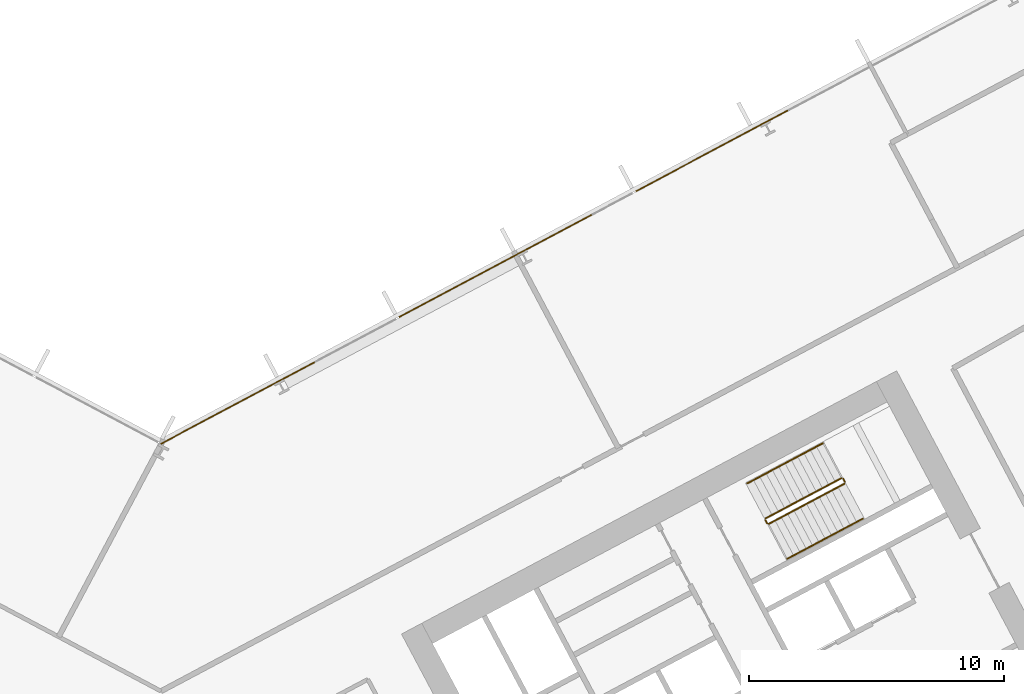
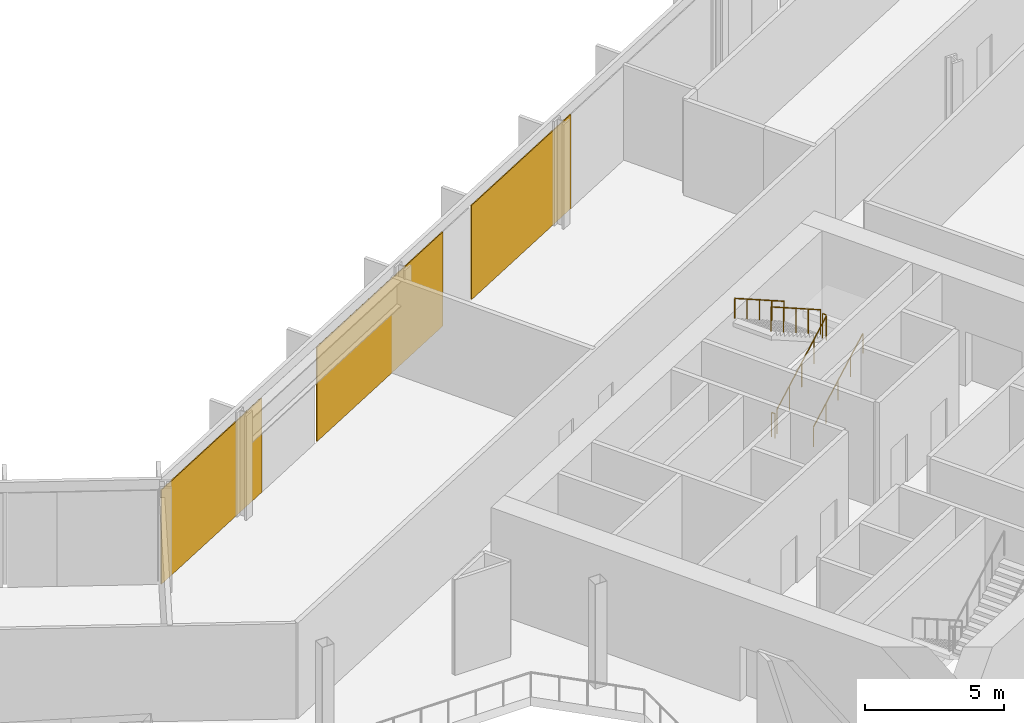
# One storey, part 28 of 30: 6 railings, 3 coverings, 1 element without a shape of its own.
"""IFC4 building model written with IfcOpenShell, lengths in metres."""

from ifc_helpers import new_model, si_unit, direction, frame, origin, origin_2d, place, context, subcontext, project, spatial, polyline, rectangle, outline, extrude, material, layer, layer_set, type_object, element, aggregate, save


model = new_model("IFC4")

# Units and contexts
model_context = context("Model", 3, precision=1e-05, world=origin(), true_north=direction((0.0, 1.0)))
body_context = subcontext(model_context, "Body", "Model", "MODEL_VIEW")
ifc_project = project(units=[si_unit("LENGTHUNIT", "METRE"), si_unit("AREAUNIT", "SQUARE_METRE"), si_unit("VOLUMEUNIT", "CUBIC_METRE"), si_unit("PLANEANGLEUNIT", "RADIAN"), si_unit("MASSUNIT", "GRAM", prefix="KILO")], contexts=[model_context])

# Site, building, storey
site_placement = place(None, origin())
site = spatial("IfcSite", under=ifc_project, at=site_placement, CompositionType="ELEMENT")
building_placement = place(site_placement, origin())
building = spatial("IfcBuilding", under=site, at=building_placement, Name="Cormorant Relay Tower", CompositionType="ELEMENT")
storey_placement = place(building_placement, frame((0.0, 0.0, 80.0)))
storey = spatial("IfcBuildingStorey", under=building, at=storey_placement, Name="L15", CompositionType="ELEMENT", Elevation=80.0)

# Curtain wall, coverings
ifc_material_1 = material(Name="Aluminium 6063-T6 anodised bronze", Category="aluminium")
ifc_layer_1 = layer(ifc_material_1, 0.199951171875)
ifc_layer_set_1 = layer_set([ifc_layer_1], Name="CW1 unitised bronze curtain wall with vertical fins")
curtain_wall_type = type_object("IfcCurtainWallType", Name="CW1 unitised bronze curtain wall with vertical fins", PredefinedType="NOTDEFINED", material=ifc_layer_set_1)
curtain_wall_placement = place(storey_placement, origin())
curtain_wall = element("IfcCurtainWall", 1, at=curtain_wall_placement, inside=storey, type_object=curtain_wall_type, Name="CW1 curtain wall 6", PredefinedType="NOTDEFINED")
ifc_material_2 = material(Name="Pale bronze anodised aluminium insulated panel", Category="aluminium")
ifc_layer_2 = layer(ifc_material_2, 0.0400390625)
ifc_layer_set_2 = layer_set([ifc_layer_2], Name="CW1 pale bronze insulated panel 40")
covering_type = type_object("IfcCoveringType", Name="CW1 pale bronze insulated panel 40", PredefinedType="CLADDING", material=ifc_layer_set_2)
covering_1_placement = place(storey_placement, frame((21.6123046875, 35.298095703125, 0.0), z_axis=(0.0, 0.0, 1.0), x_axis=(-0.882947592859, -0.469471562786, 0.0)))
covering_1 = element("IfcCovering", 2, at=covering_1_placement, type_object=covering_type, Name="CW1 panel S06", PredefinedType="CLADDING", context=body_context, shape_type="SweptSolid", body=[
    extrude(rectangle(XDim=6.765380859375, YDim=0.0400390625, at=origin_2d()), origin(), (0.0, 0.0, 1.0), 4.14990234375),
])
covering_2_placement = place(storey_placement, frame((13.12255859375, 30.7841796875, 0.0), z_axis=(0.0, 0.0, 1.0), x_axis=(-0.882947592859, -0.469471562786, 0.0)))
covering_2 = element("IfcCovering", 3, at=covering_2_placement, type_object=covering_type, Name="CW1 panel S08", PredefinedType="CLADDING", context=body_context, shape_type="SweptSolid", body=[
    extrude(rectangle(XDim=8.565185546875, YDim=0.0400390625, at=origin_2d()), origin(), (0.0, 0.0, 1.0), 4.14990234375),
])
covering_3_placement = place(storey_placement, frame((3.010498046875, 25.4072265625, 0.0), z_axis=(0.0, 0.0, 1.0), x_axis=(-0.882947592859, -0.469471562786, 0.0)))
covering_3 = element("IfcCovering", 4, at=covering_3_placement, type_object=covering_type, Name="CW1 panel S10", PredefinedType="CLADDING", context=body_context, shape_type="SweptSolid", body=[
    extrude(rectangle(XDim=6.84033203125, YDim=0.0400390625, at=origin_2d()), origin(), (0.0, 0.0, 1.0), 4.14990234375),
])
aggregate(curtain_wall, [covering_1, covering_2, covering_3])

# Railings
ifc_material_3 = material(Name="Steel ASTM A572 Grade 50 (Fy 345 MPa)", Category="steel")
railing_type_1 = type_object("IfcRailingType", Name="Stair guard 1100", PredefinedType="GUARDRAIL", material=ifc_material_3)
railing_1_placement = place(storey_placement, frame((23.8408203125, 20.6611328125, 0.177001953125)))
element("IfcRailing", 5, at=railing_1_placement, inside=storey, type_object=railing_type_1, Name="L15 B2 stair guard 1", PredefinedType="GUARDRAIL", context=body_context, shape_type="SweptSolid", body=[
    extrude(outline(polyline([(0.022216796875, 0.00927734375), (0.00927734375, 0.022216796875), (-0.00927734375, 0.022216796875), (-0.022216796875, 0.00927734375), (-0.022216796875, -0.00927734375), (-0.00927734375, -0.022216796875), (0.00927734375, -0.022216796875), (0.022216796875, -0.00927734375), (0.022216796875, 0.00927734375)])), frame((0.0, 0.0, 1.076171875), z_axis=(0.746440668329, 0.396869088057, 0.534154711306), x_axis=(-0.46945269911, 0.882957622595, 0.0)), (0.0, 0.0, 1.0), 3.974609375),
    extrude(outline(polyline([(0.019287109375, 0.008056640625), (0.008056640625, 0.019287109375), (-0.008056640625, 0.019287109375), (-0.019287109375, 0.008056640625), (-0.019287109375, -0.008056640625), (-0.008056640625, -0.019287109375), (0.008056640625, -0.019287109375), (0.019287109375, -0.008056640625), (0.019287109375, 0.008056640625)])), origin(), (0.0, 0.0, 1.0), 1.052001953125),
    extrude(outline(polyline([(0.019287109375, 0.008056640625), (0.008056640625, 0.019287109375), (-0.008056640625, 0.019287109375), (-0.019287109375, 0.008056640625), (-0.019287109375, -0.008056640625), (-0.008056640625, -0.019287109375), (0.008056640625, -0.019287109375), (0.019287109375, -0.008056640625), (0.019287109375, 0.008056640625)])), frame((0.74169921875, 0.394287109375, 0.53076171875)), (0.0, 0.0, 1.0), 1.052001953125),
    extrude(outline(polyline([(0.019287109375, 0.008056640625), (0.008056640625, 0.019287109375), (-0.008056640625, 0.019287109375), (-0.019287109375, 0.008056640625), (-0.019287109375, -0.008056640625), (-0.008056640625, -0.019287109375), (0.008056640625, -0.019287109375), (0.019287109375, -0.008056640625), (0.019287109375, 0.008056640625)])), frame((1.4833984375, 0.78857421875, 1.0615234375)), (0.0, 0.0, 1.0), 1.052001953125),
    extrude(outline(polyline([(0.019287109375, 0.008056640625), (0.008056640625, 0.019287109375), (-0.008056640625, 0.019287109375), (-0.019287109375, 0.008056640625), (-0.019287109375, -0.008056640625), (-0.008056640625, -0.019287109375), (0.008056640625, -0.019287109375), (0.019287109375, -0.008056640625), (0.019287109375, 0.008056640625)])), frame((2.22509765625, 1.18310546875, 1.59228515625)), (0.0, 0.0, 1.0), 1.052001953125),
    extrude(outline(polyline([(0.019287109375, 0.008056640625), (0.008056640625, 0.019287109375), (-0.008056640625, 0.019287109375), (-0.019287109375, 0.008056640625), (-0.019287109375, -0.008056640625), (-0.008056640625, -0.019287109375), (0.008056640625, -0.019287109375), (0.019287109375, -0.008056640625), (0.019287109375, 0.008056640625)])), frame((2.966796875, 1.577392578125, 2.123046875)), (0.0, 0.0, 1.0), 1.052001953125),
])
railing_2_placement = place(storey_placement, frame((26.828125, 22.30615234375, 2.300048828125)))
element("IfcRailing", 6, at=railing_2_placement, inside=storey, type_object=railing_type_1, Name="L15 B2 stair guard 2", PredefinedType="GUARDRAIL", context=body_context, shape_type="SweptSolid", body=[
    extrude(outline(polyline([(0.022216796875, 0.00927734375), (0.00927734375, 0.022216796875), (-0.00927734375, 0.022216796875), (-0.022216796875, 0.00927734375), (-0.022216796875, -0.00927734375), (-0.00927734375, -0.022216796875), (0.00927734375, -0.022216796875), (0.022216796875, -0.00927734375), (0.022216796875, 0.00927734375)])), frame((0.0, 0.0, 1.076171875), z_axis=(-0.469234640946, 0.883073525669, 0.0), x_axis=(-0.883073525669, -0.469234640946, 0.0)), (0.0, 0.0, 1.0), 0.14990234375),
    extrude(outline(polyline([(0.019287109375, 0.008056640625), (0.008056640625, 0.019287109375), (-0.008056640625, 0.019287109375), (-0.019287109375, 0.008056640625), (-0.019287109375, -0.008056640625), (-0.008056640625, -0.019287109375), (0.008056640625, -0.019287109375), (0.019287109375, -0.008056640625), (0.019287109375, 0.008056640625)])), origin(), (0.0, 0.0, 1.0), 1.052001953125),
    extrude(outline(polyline([(0.019287109375, 0.008056640625), (0.008056640625, 0.019287109375), (-0.008056640625, 0.019287109375), (-0.019287109375, 0.008056640625), (-0.019287109375, -0.008056640625), (-0.008056640625, -0.019287109375), (0.008056640625, -0.019287109375), (0.019287109375, -0.008056640625), (0.019287109375, 0.008056640625)])), frame((-0.0703125, 0.13232421875, 0.0)), (0.0, 0.0, 1.0), 1.052001953125),
])
railing_3_placement = place(storey_placement, frame((26.690185546875, 22.459228515625, 2.476806640625)))
element("IfcRailing", 7, at=railing_3_placement, inside=storey, type_object=railing_type_1, Name="L15 B2 stair guard 3", PredefinedType="GUARDRAIL", context=body_context, shape_type="SweptSolid", body=[
    extrude(outline(polyline([(0.022216796875, 0.00927734375), (0.00927734375, 0.022216796875), (-0.00927734375, 0.022216796875), (-0.022216796875, 0.00927734375), (-0.022216796875, -0.00927734375), (-0.00927734375, -0.022216796875), (0.00927734375, -0.022216796875), (0.022216796875, -0.00927734375), (0.022216796875, 0.00927734375)])), frame((0.0, 0.0, 1.076171875), z_axis=(-0.746416176936, -0.396856066424, 0.534198608526), x_axis=(0.46945269911, -0.882957622595, 0.0)), (0.0, 0.0, 1.0), 3.974609375),
    extrude(outline(polyline([(0.019287109375, 0.008056640625), (0.008056640625, 0.019287109375), (-0.008056640625, 0.019287109375), (-0.019287109375, 0.008056640625), (-0.019287109375, -0.008056640625), (-0.008056640625, -0.019287109375), (0.008056640625, -0.019287109375), (0.019287109375, -0.008056640625), (0.019287109375, 0.008056640625)])), origin(), (0.0, 0.0, 1.0), 1.052001953125),
    extrude(outline(polyline([(0.019287109375, 0.008056640625), (0.008056640625, 0.019287109375), (-0.008056640625, 0.019287109375), (-0.019287109375, 0.008056640625), (-0.019287109375, -0.008056640625), (-0.008056640625, -0.019287109375), (0.008056640625, -0.019287109375), (0.019287109375, -0.008056640625), (0.019287109375, 0.008056640625)])), frame((-0.74169921875, -0.394287109375, 0.53076171875)), (0.0, 0.0, 1.0), 1.052001953125),
    extrude(outline(polyline([(0.019287109375, 0.008056640625), (0.008056640625, 0.019287109375), (-0.008056640625, 0.019287109375), (-0.019287109375, 0.008056640625), (-0.019287109375, -0.008056640625), (-0.008056640625, -0.019287109375), (0.008056640625, -0.019287109375), (0.019287109375, -0.008056640625), (0.019287109375, 0.008056640625)])), frame((-1.4833984375, -0.78857421875, 1.0615234375)), (0.0, 0.0, 1.0), 1.052001953125),
    extrude(outline(polyline([(0.019287109375, 0.008056640625), (0.008056640625, 0.019287109375), (-0.008056640625, 0.019287109375), (-0.019287109375, 0.008056640625), (-0.019287109375, -0.008056640625), (-0.008056640625, -0.019287109375), (0.008056640625, -0.019287109375), (0.019287109375, -0.008056640625), (0.019287109375, 0.008056640625)])), frame((-2.22509765625, -1.18310546875, 1.592529296875)), (0.0, 0.0, 1.0), 1.052001953125),
    extrude(outline(polyline([(0.019287109375, 0.008056640625), (0.008056640625, 0.019287109375), (-0.008056640625, 0.019287109375), (-0.019287109375, 0.008056640625), (-0.019287109375, -0.008056640625), (-0.008056640625, -0.019287109375), (0.008056640625, -0.019287109375), (0.019287109375, -0.008056640625), (0.019287109375, 0.008056640625)])), frame((-2.966796875, -1.577392578125, 2.123291015625)), (0.0, 0.0, 1.0), 1.052001953125),
])
railing_4_placement = place(storey_placement, frame((23.773193359375, 20.681640625, 0.0)))
element("IfcRailing", 8, at=railing_4_placement, inside=storey, type_object=railing_type_1, Name="L15 B2 stair guard 4", PredefinedType="GUARDRAIL", context=body_context, shape_type="SweptSolid", body=[
    extrude(outline(polyline([(0.022216796875, 0.00927734375), (0.00927734375, 0.022216796875), (-0.00927734375, 0.022216796875), (-0.022216796875, 0.00927734375), (-0.022216796875, -0.00927734375), (-0.00927734375, -0.022216796875), (0.00927734375, -0.022216796875), (0.022216796875, -0.00927734375), (0.022216796875, 0.00927734375)])), frame((0.0, 0.0, 1.076171875), z_axis=(-0.46856034887, 0.8834314911, 0.0), x_axis=(-0.8834314911, -0.46856034887, 0.0)), (0.0, 0.0, 1.0), 0.150146484375),
    extrude(outline(polyline([(0.019287109375, 0.008056640625), (0.008056640625, 0.019287109375), (-0.008056640625, 0.019287109375), (-0.019287109375, 0.008056640625), (-0.019287109375, -0.008056640625), (-0.008056640625, -0.019287109375), (0.008056640625, -0.019287109375), (0.019287109375, -0.008056640625), (0.019287109375, 0.008056640625)])), origin(), (0.0, 0.0, 1.0), 1.052001953125),
    extrude(outline(polyline([(0.019287109375, 0.008056640625), (0.008056640625, 0.019287109375), (-0.008056640625, 0.019287109375), (-0.019287109375, 0.008056640625), (-0.019287109375, -0.008056640625), (-0.008056640625, -0.019287109375), (0.008056640625, -0.019287109375), (0.019287109375, -0.008056640625), (0.019287109375, 0.008056640625)])), frame((-0.0703125, 0.132568359375, 0.0)), (0.0, 0.0, 1.0), 1.052001953125),
])
ifc_material_4 = material(Name="Steel ASTM A572 Grade 50 (Fy 345 MPa)", Category="steel")
railing_type_2 = type_object("IfcRailingType", Name="Stair handrail 900", PredefinedType="HANDRAIL", material=ifc_material_4)
railing_5_placement = place(storey_placement, frame((24.568603515625, 19.29248046875, 0.177001953125)))
element("IfcRailing", 9, at=railing_5_placement, inside=storey, type_object=railing_type_2, Name="L15 B2 stair handrail 1", PredefinedType="HANDRAIL", context=body_context, shape_type="SweptSolid", body=[
    extrude(outline(polyline([(0.022216796875, 0.00927734375), (0.00927734375, 0.022216796875), (-0.00927734375, 0.022216796875), (-0.022216796875, 0.00927734375), (-0.022216796875, -0.00927734375), (-0.00927734375, -0.022216796875), (0.00927734375, -0.022216796875), (0.022216796875, -0.00927734375), (0.022216796875, 0.00927734375)])), frame((0.0, 0.0, 0.8759765625), z_axis=(0.746413465702, 0.396887285154, 0.534179203172), x_axis=(-0.469482818608, 0.88294160794, 0.0)), (0.0, 0.0, 1.0), 3.974365234375),
    extrude(outline(polyline([(0.019287109375, 0.008056640625), (0.008056640625, 0.019287109375), (-0.008056640625, 0.019287109375), (-0.019287109375, 0.008056640625), (-0.019287109375, -0.008056640625), (-0.008056640625, -0.019287109375), (0.008056640625, -0.019287109375), (0.019287109375, -0.008056640625), (0.019287109375, 0.008056640625)])), origin(), (0.0, 0.0, 1.0), 0.851806640625),
    extrude(outline(polyline([(0.019287109375, 0.008056640625), (0.008056640625, 0.019287109375), (-0.008056640625, 0.019287109375), (-0.019287109375, 0.008056640625), (-0.019287109375, -0.008056640625), (-0.008056640625, -0.019287109375), (0.008056640625, -0.019287109375), (0.019287109375, -0.008056640625), (0.019287109375, 0.008056640625)])), frame((0.74169921875, 0.394287109375, 0.53076171875)), (0.0, 0.0, 1.0), 0.851806640625),
    extrude(outline(polyline([(0.019287109375, 0.008056640625), (0.008056640625, 0.019287109375), (-0.008056640625, 0.019287109375), (-0.019287109375, 0.008056640625), (-0.019287109375, -0.008056640625), (-0.008056640625, -0.019287109375), (0.008056640625, -0.019287109375), (0.019287109375, -0.008056640625), (0.019287109375, 0.008056640625)])), frame((1.4833984375, 0.78857421875, 1.0615234375)), (0.0, 0.0, 1.0), 0.851806640625),
    extrude(outline(polyline([(0.019287109375, 0.008056640625), (0.008056640625, 0.019287109375), (-0.008056640625, 0.019287109375), (-0.019287109375, 0.008056640625), (-0.019287109375, -0.008056640625), (-0.008056640625, -0.019287109375), (0.008056640625, -0.019287109375), (0.019287109375, -0.008056640625), (0.019287109375, 0.008056640625)])), frame((2.224853515625, 1.18310546875, 1.59228515625)), (0.0, 0.0, 1.0), 0.851806640625),
    extrude(outline(polyline([(0.019287109375, 0.008056640625), (0.008056640625, 0.019287109375), (-0.008056640625, 0.019287109375), (-0.019287109375, 0.008056640625), (-0.019287109375, -0.008056640625), (-0.008056640625, -0.019287109375), (0.008056640625, -0.019287109375), (0.019287109375, -0.008056640625), (0.019287109375, 0.008056640625)])), frame((2.966552734375, 1.577392578125, 2.123046875)), (0.0, 0.0, 1.0), 0.851806640625),
])
railing_6_placement = place(storey_placement, frame((25.96240234375, 23.827880859375, 2.476806640625)))
element("IfcRailing", 10, at=railing_6_placement, inside=storey, type_object=railing_type_2, Name="L15 B2 stair handrail 2", PredefinedType="HANDRAIL", context=body_context, shape_type="SweptSolid", body=[
    extrude(outline(polyline([(0.022216796875, 0.00927734375), (0.00927734375, 0.022216796875), (-0.00927734375, 0.022216796875), (-0.022216796875, 0.00927734375), (-0.022216796875, -0.00927734375), (-0.00927734375, -0.022216796875), (0.00927734375, -0.022216796875), (0.022216796875, -0.00927734375), (0.022216796875, 0.00927734375)])), frame((0.0, 0.0, 0.8759765625), z_axis=(-0.746370776406, -0.396926010792, 0.534210076734), x_axis=(0.469539463624, -0.882911485994, 0.0)), (0.0, 0.0, 1.0), 3.974609375),
    extrude(outline(polyline([(0.019287109375, 0.008056640625), (0.008056640625, 0.019287109375), (-0.008056640625, 0.019287109375), (-0.019287109375, 0.008056640625), (-0.019287109375, -0.008056640625), (-0.008056640625, -0.019287109375), (0.008056640625, -0.019287109375), (0.019287109375, -0.008056640625), (0.019287109375, 0.008056640625)])), origin(), (0.0, 0.0, 1.0), 0.851806640625),
    extrude(outline(polyline([(0.019287109375, 0.008056640625), (0.008056640625, 0.019287109375), (-0.008056640625, 0.019287109375), (-0.019287109375, 0.008056640625), (-0.019287109375, -0.008056640625), (-0.008056640625, -0.019287109375), (0.008056640625, -0.019287109375), (0.019287109375, -0.008056640625), (0.019287109375, 0.008056640625)])), frame((-0.74169921875, -0.39453125, 0.53076171875)), (0.0, 0.0, 1.0), 0.851806640625),
    extrude(outline(polyline([(0.019287109375, 0.008056640625), (0.008056640625, 0.019287109375), (-0.008056640625, 0.019287109375), (-0.019287109375, 0.008056640625), (-0.019287109375, -0.008056640625), (-0.008056640625, -0.019287109375), (0.008056640625, -0.019287109375), (0.019287109375, -0.008056640625), (0.019287109375, 0.008056640625)])), frame((-1.4833984375, -0.788818359375, 1.0615234375)), (0.0, 0.0, 1.0), 0.851806640625),
    extrude(outline(polyline([(0.019287109375, 0.008056640625), (0.008056640625, 0.019287109375), (-0.008056640625, 0.019287109375), (-0.019287109375, 0.008056640625), (-0.019287109375, -0.008056640625), (-0.008056640625, -0.019287109375), (0.008056640625, -0.019287109375), (0.019287109375, -0.008056640625), (0.019287109375, 0.008056640625)])), frame((-2.224853515625, -1.18310546875, 1.592529296875)), (0.0, 0.0, 1.0), 0.851806640625),
    extrude(outline(polyline([(0.019287109375, 0.008056640625), (0.008056640625, 0.019287109375), (-0.008056640625, 0.019287109375), (-0.019287109375, 0.008056640625), (-0.019287109375, -0.008056640625), (-0.008056640625, -0.019287109375), (0.008056640625, -0.019287109375), (0.019287109375, -0.008056640625), (0.019287109375, 0.008056640625)])), frame((-2.966552734375, -1.57763671875, 2.123291015625)), (0.0, 0.0, 1.0), 0.851806640625),
])

save(model, "model.ifc")
